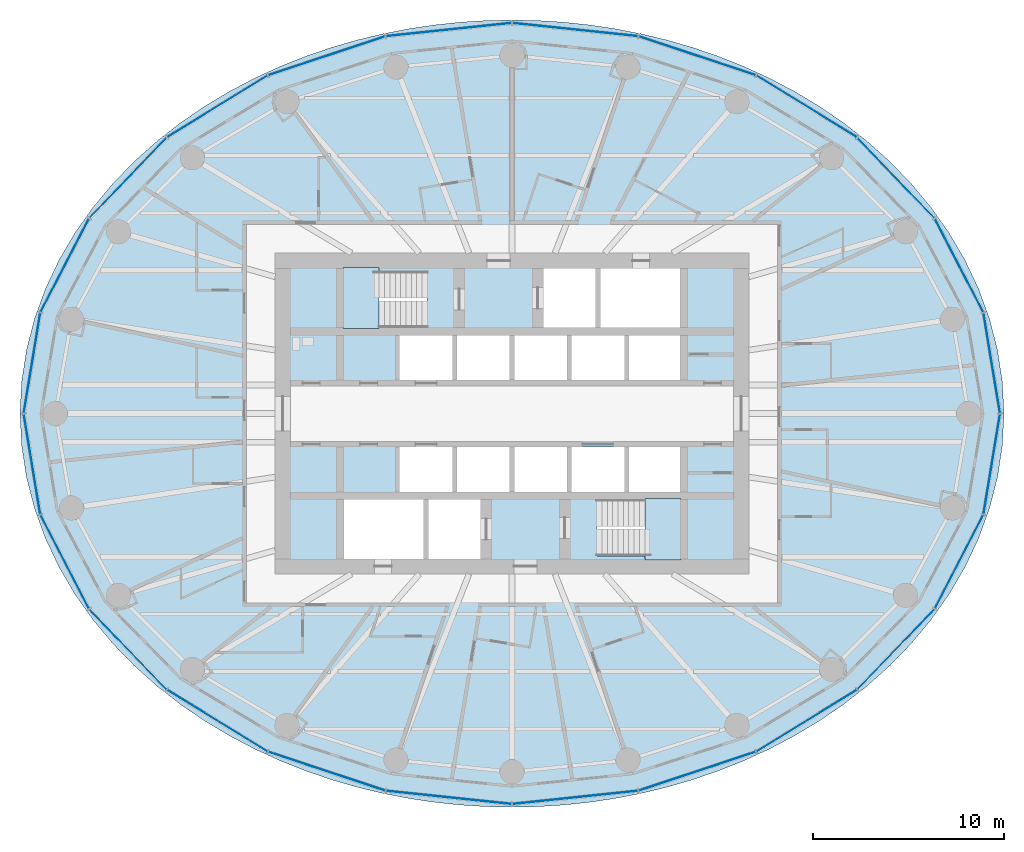
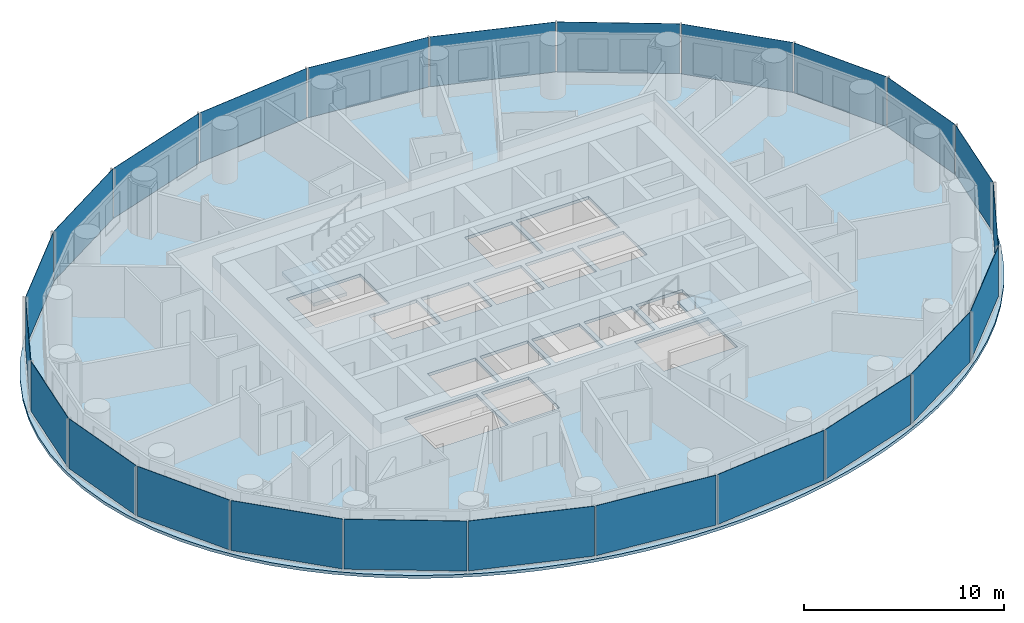
# One storey, part 5 of 14: 24 plates, 3 slabs, 6 elements without a shape of their own.
"""IFC4 building model written with IfcOpenShell, lengths in metres."""

from ifc_helpers import new_model, si_unit, direction, frame, origin, origin_2d, place, context, subcontext, project, spatial, polyline, rectangle, outline, extrude, material, layer, layer_set, type_object, element, aggregate, save


model = new_model("IFC4")

# Units and contexts
model_context = context("Model", 3, precision=1e-05, world=origin(), true_north=direction((0.0, 1.0)))
body_context = subcontext(model_context, "Body", "Model", "MODEL_VIEW")
ifc_project = project(units=[si_unit("LENGTHUNIT", "METRE"), si_unit("AREAUNIT", "SQUARE_METRE"), si_unit("VOLUMEUNIT", "CUBIC_METRE"), si_unit("PLANEANGLEUNIT", "RADIAN"), si_unit("MASSUNIT", "GRAM", prefix="KILO")], contexts=[model_context])

# Site, building, storey
site_placement = place(None, origin())
site = spatial("IfcSite", under=ifc_project, at=site_placement, CompositionType="ELEMENT")
building_placement = place(site_placement, origin())
building = spatial("IfcBuilding", under=site, at=building_placement, Name="Hankou Lantern Tower", CompositionType="ELEMENT")
storey_placement = place(building_placement, frame((0.0, 0.0, 115.5)))
storey = spatial("IfcBuildingStorey", under=building, at=storey_placement, Name="L29", CompositionType="ELEMENT", Elevation=115.5)

# Curtain wall, plates
ifc_material_1 = material(Name="Glass, dark grey tinted laminated", Category="glass")
curtain_wall_type = type_object("IfcCurtainWallType", Name="CWB OUTER SKIN MID-RISE", PredefinedType="USERDEFINED", material=ifc_material_1)
curtain_wall_1_placement = place(storey_placement, origin())
curtain_wall_1 = element("IfcCurtainWall", 1, at=curtain_wall_1_placement, inside=storey, type_object=curtain_wall_type, Name="CWB L29 OS1", ObjectType="OUTER SKIN MID-RISE", PredefinedType="USERDEFINED")
ifc_material_2 = material(Name="Glass, dark grey tinted laminated", Category="glass")
ifc_layer_1 = layer(ifc_material_2, 0.02392578125)
ifc_layer_set_1 = layer_set([ifc_layer_1], Name="Glass, dark grey tinted laminated")
plate_type = type_object("IfcPlateType", Name="PN1 OUTER SKIN GLASS PANEL", PredefinedType="CURTAIN_PANEL", material=ifc_layer_set_1)
plate_1_placement = place(storey_placement, frame((25.11474609375, 2.64501953125, 0.080078125), z_axis=(0.0, 0.0, 1.0), x_axis=(-0.162381515188, 0.986728049427, 0.0)))
plate_1 = element("IfcPlate", 2, at=plate_1_placement, type_object=plate_type, Name="CWB glass panel 1", PredefinedType="CURTAIN_PANEL", context=body_context, shape_type="SweptSolid", body=[
    extrude(rectangle(XDim=5.281494140625, YDim=0.02392578125, at=origin_2d()), origin(), (0.0, 0.0, 1.0), 3.0400390625),
])
plate_2_placement = place(storey_placement, frame((23.403076171875, 7.755126953125, 0.080078125), z_axis=(0.0, 0.0, 1.0), x_axis=(-0.459791091957, 0.888027112062, 0.0)))
plate_2 = element("IfcPlate", 3, at=plate_2_placement, type_object=plate_type, Name="CWB glass panel 2", PredefinedType="CURTAIN_PANEL", context=body_context, shape_type="SweptSolid", body=[
    extrude(rectangle(XDim=5.471435546875, YDim=0.02392578125, at=origin_2d()), origin(), (0.0, 0.0, 1.0), 3.0400390625),
])
plate_3_placement = place(storey_placement, frame((20.0966796875, 12.336669921875, 0.080078125), z_axis=(0.0, 0.0, 1.0), x_axis=(-0.692215809936, 0.721690565599, 0.0)))
plate_3 = element("IfcPlate", 4, at=plate_3_placement, type_object=plate_type, Name="CWB glass panel 3", PredefinedType="CURTAIN_PANEL", context=body_context, shape_type="SweptSolid", body=[
    extrude(rectangle(XDim=5.78564453125, YDim=0.02392578125, at=origin_2d()), origin(), (0.0, 0.0, 1.0), 3.0400390625),
])
plate_4_placement = place(storey_placement, frame((15.4208984375, 16.077392578125, 0.080078125), z_axis=(0.0, 0.0, 1.0), x_axis=(-0.852237151549, 0.523155653242, 0.0)))
plate_4 = element("IfcPlate", 5, at=plate_4_placement, type_object=plate_type, Name="CWB glass panel 4", PredefinedType="CURTAIN_PANEL", context=body_context, shape_type="SweptSolid", body=[
    extrude(rectangle(XDim=6.129150390625, YDim=0.02392578125, at=origin_2d()), origin(), (0.0, 0.0, 1.0), 3.0400390625),
])
plate_5_placement = place(storey_placement, frame((9.69384765625, 18.72265625, 0.080078125), z_axis=(0.0, 0.0, 1.0), x_axis=(-0.949240677293, 0.31455068999, 0.0)))
plate_5 = element("IfcPlate", 6, at=plate_5_placement, type_object=plate_type, Name="CWB glass panel 5", PredefinedType="CURTAIN_PANEL", context=body_context, shape_type="SweptSolid", body=[
    extrude(rectangle(XDim=6.41162109375, YDim=0.02392578125, at=origin_2d()), origin(), (0.0, 0.0, 1.0), 3.0400390625),
])
plate_6_placement = place(storey_placement, frame((3.306396484375, 20.091796875, 0.080078125), z_axis=(0.0, 0.0, 1.0), x_axis=(-0.994499359107, 0.104742659579, 0.0)))
plate_6 = element("IfcPlate", 7, at=plate_6_placement, type_object=plate_type, Name="CWB glass panel 6", PredefinedType="CURTAIN_PANEL", context=body_context, shape_type="SweptSolid", body=[
    extrude(rectangle(XDim=6.5693359375, YDim=0.02392578125, at=origin_2d()), origin(), (0.0, 0.0, 1.0), 3.0400390625),
])
aggregate(curtain_wall_1, [plate_1, plate_2, plate_3, plate_4, plate_5, plate_6])

curtain_wall_2_placement = place(storey_placement, origin())
curtain_wall_2 = element("IfcCurtainWall", 8, at=curtain_wall_2_placement, inside=storey, type_object=curtain_wall_type, Name="CWB L29 OS2", ObjectType="OUTER SKIN MID-RISE", PredefinedType="USERDEFINED")
plate_7_placement = place(storey_placement, frame((-3.306396484375, 20.091796875, 0.080078125), z_axis=(0.0, 0.0, 1.0), x_axis=(-0.994499359107, -0.104742659579, 0.0)))
plate_7 = element("IfcPlate", 9, at=plate_7_placement, type_object=plate_type, Name="CWB glass panel 1", PredefinedType="CURTAIN_PANEL", context=body_context, shape_type="SweptSolid", body=[
    extrude(rectangle(XDim=6.5693359375, YDim=0.02392578125, at=origin_2d()), origin(), (0.0, 0.0, 1.0), 3.0400390625),
])
plate_8_placement = place(storey_placement, frame((-9.69384765625, 18.72265625, 0.080078125), z_axis=(0.0, 0.0, 1.0), x_axis=(-0.949240677293, -0.31455068999, 0.0)))
plate_8 = element("IfcPlate", 10, at=plate_8_placement, type_object=plate_type, Name="CWB glass panel 2", PredefinedType="CURTAIN_PANEL", context=body_context, shape_type="SweptSolid", body=[
    extrude(rectangle(XDim=6.41162109375, YDim=0.02392578125, at=origin_2d()), origin(), (0.0, 0.0, 1.0), 3.0400390625),
])
plate_9_placement = place(storey_placement, frame((-15.4208984375, 16.077392578125, 0.080078125), z_axis=(0.0, 0.0, 1.0), x_axis=(-0.852237151549, -0.523155653242, 0.0)))
plate_9 = element("IfcPlate", 11, at=plate_9_placement, type_object=plate_type, Name="CWB glass panel 3", PredefinedType="CURTAIN_PANEL", context=body_context, shape_type="SweptSolid", body=[
    extrude(rectangle(XDim=6.129150390625, YDim=0.02392578125, at=origin_2d()), origin(), (0.0, 0.0, 1.0), 3.0400390625),
])
plate_10_placement = place(storey_placement, frame((-20.0966796875, 12.336669921875, 0.080078125), z_axis=(0.0, 0.0, 1.0), x_axis=(-0.692215809936, -0.721690565599, 0.0)))
plate_10 = element("IfcPlate", 12, at=plate_10_placement, type_object=plate_type, Name="CWB glass panel 4", PredefinedType="CURTAIN_PANEL", context=body_context, shape_type="SweptSolid", body=[
    extrude(rectangle(XDim=5.78564453125, YDim=0.02392578125, at=origin_2d()), origin(), (0.0, 0.0, 1.0), 3.0400390625),
])
plate_11_placement = place(storey_placement, frame((-23.403076171875, 7.755126953125, 0.080078125), z_axis=(0.0, 0.0, 1.0), x_axis=(-0.459791091957, -0.888027112062, 0.0)))
plate_11 = element("IfcPlate", 13, at=plate_11_placement, type_object=plate_type, Name="CWB glass panel 5", PredefinedType="CURTAIN_PANEL", context=body_context, shape_type="SweptSolid", body=[
    extrude(rectangle(XDim=5.471435546875, YDim=0.02392578125, at=origin_2d()), origin(), (0.0, 0.0, 1.0), 3.0400390625),
])
plate_12_placement = place(storey_placement, frame((-25.11474609375, 2.64501953125, 0.080078125), z_axis=(0.0, 0.0, 1.0), x_axis=(-0.162381515188, -0.986728049427, 0.0)))
plate_12 = element("IfcPlate", 14, at=plate_12_placement, type_object=plate_type, Name="CWB glass panel 6", PredefinedType="CURTAIN_PANEL", context=body_context, shape_type="SweptSolid", body=[
    extrude(rectangle(XDim=5.281494140625, YDim=0.02392578125, at=origin_2d()), origin(), (0.0, 0.0, 1.0), 3.0400390625),
])
aggregate(curtain_wall_2, [plate_7, plate_8, plate_9, plate_10, plate_11, plate_12])

curtain_wall_3_placement = place(storey_placement, origin())
curtain_wall_3 = element("IfcCurtainWall", 15, at=curtain_wall_3_placement, inside=storey, type_object=curtain_wall_type, Name="CWB L29 OS3", ObjectType="OUTER SKIN MID-RISE", PredefinedType="USERDEFINED")
plate_13_placement = place(storey_placement, frame((-25.11474609375, -2.64501953125, 0.080078125), z_axis=(0.0, 0.0, 1.0), x_axis=(0.162381515188, -0.986728049427, 0.0)))
plate_13 = element("IfcPlate", 16, at=plate_13_placement, type_object=plate_type, Name="CWB glass panel 1", PredefinedType="CURTAIN_PANEL", context=body_context, shape_type="SweptSolid", body=[
    extrude(rectangle(XDim=5.281494140625, YDim=0.02392578125, at=origin_2d()), origin(), (0.0, 0.0, 1.0), 3.0400390625),
])
plate_14_placement = place(storey_placement, frame((-23.403076171875, -7.755126953125, 0.080078125), z_axis=(0.0, 0.0, 1.0), x_axis=(0.459791091957, -0.888027112062, 0.0)))
plate_14 = element("IfcPlate", 17, at=plate_14_placement, type_object=plate_type, Name="CWB glass panel 2", PredefinedType="CURTAIN_PANEL", context=body_context, shape_type="SweptSolid", body=[
    extrude(rectangle(XDim=5.471435546875, YDim=0.02392578125, at=origin_2d()), origin(), (0.0, 0.0, 1.0), 3.0400390625),
])
plate_15_placement = place(storey_placement, frame((-20.0966796875, -12.336669921875, 0.080078125), z_axis=(0.0, 0.0, 1.0), x_axis=(0.692215809936, -0.721690565599, 0.0)))
plate_15 = element("IfcPlate", 18, at=plate_15_placement, type_object=plate_type, Name="CWB glass panel 3", PredefinedType="CURTAIN_PANEL", context=body_context, shape_type="SweptSolid", body=[
    extrude(rectangle(XDim=5.78564453125, YDim=0.02392578125, at=origin_2d()), origin(), (0.0, 0.0, 1.0), 3.0400390625),
])
plate_16_placement = place(storey_placement, frame((-15.4208984375, -16.077392578125, 0.080078125), z_axis=(0.0, 0.0, 1.0), x_axis=(0.852237151549, -0.523155653242, 0.0)))
plate_16 = element("IfcPlate", 19, at=plate_16_placement, type_object=plate_type, Name="CWB glass panel 4", PredefinedType="CURTAIN_PANEL", context=body_context, shape_type="SweptSolid", body=[
    extrude(rectangle(XDim=6.129150390625, YDim=0.02392578125, at=origin_2d()), origin(), (0.0, 0.0, 1.0), 3.0400390625),
])
plate_17_placement = place(storey_placement, frame((-9.69384765625, -18.72265625, 0.080078125), z_axis=(0.0, 0.0, 1.0), x_axis=(0.949240677293, -0.31455068999, 0.0)))
plate_17 = element("IfcPlate", 20, at=plate_17_placement, type_object=plate_type, Name="CWB glass panel 5", PredefinedType="CURTAIN_PANEL", context=body_context, shape_type="SweptSolid", body=[
    extrude(rectangle(XDim=6.41162109375, YDim=0.02392578125, at=origin_2d()), origin(), (0.0, 0.0, 1.0), 3.0400390625),
])
plate_18_placement = place(storey_placement, frame((-3.306396484375, -20.091796875, 0.080078125), z_axis=(0.0, 0.0, 1.0), x_axis=(0.994499359107, -0.104742659579, 0.0)))
plate_18 = element("IfcPlate", 21, at=plate_18_placement, type_object=plate_type, Name="CWB glass panel 6", PredefinedType="CURTAIN_PANEL", context=body_context, shape_type="SweptSolid", body=[
    extrude(rectangle(XDim=6.5693359375, YDim=0.02392578125, at=origin_2d()), origin(), (0.0, 0.0, 1.0), 3.0400390625),
])
aggregate(curtain_wall_3, [plate_13, plate_14, plate_15, plate_16, plate_17, plate_18])

curtain_wall_4_placement = place(storey_placement, origin())
curtain_wall_4 = element("IfcCurtainWall", 22, at=curtain_wall_4_placement, inside=storey, type_object=curtain_wall_type, Name="CWB L29 OS4", ObjectType="OUTER SKIN MID-RISE", PredefinedType="USERDEFINED")
plate_19_placement = place(storey_placement, frame((3.306396484375, -20.091796875, 0.080078125), z_axis=(0.0, 0.0, 1.0), x_axis=(0.994499359107, 0.104742659579, 0.0)))
plate_19 = element("IfcPlate", 23, at=plate_19_placement, type_object=plate_type, Name="CWB glass panel 1", PredefinedType="CURTAIN_PANEL", context=body_context, shape_type="SweptSolid", body=[
    extrude(rectangle(XDim=6.5693359375, YDim=0.02392578125, at=origin_2d()), origin(), (0.0, 0.0, 1.0), 3.0400390625),
])
plate_20_placement = place(storey_placement, frame((9.69384765625, -18.72265625, 0.080078125), z_axis=(0.0, 0.0, 1.0), x_axis=(0.949240677293, 0.31455068999, 0.0)))
plate_20 = element("IfcPlate", 24, at=plate_20_placement, type_object=plate_type, Name="CWB glass panel 2", PredefinedType="CURTAIN_PANEL", context=body_context, shape_type="SweptSolid", body=[
    extrude(rectangle(XDim=6.41162109375, YDim=0.02392578125, at=origin_2d()), origin(), (0.0, 0.0, 1.0), 3.0400390625),
])
plate_21_placement = place(storey_placement, frame((15.4208984375, -16.077392578125, 0.080078125), z_axis=(0.0, 0.0, 1.0), x_axis=(0.852237151549, 0.523155653242, 0.0)))
plate_21 = element("IfcPlate", 25, at=plate_21_placement, type_object=plate_type, Name="CWB glass panel 3", PredefinedType="CURTAIN_PANEL", context=body_context, shape_type="SweptSolid", body=[
    extrude(rectangle(XDim=6.129150390625, YDim=0.02392578125, at=origin_2d()), origin(), (0.0, 0.0, 1.0), 3.0400390625),
])
plate_22_placement = place(storey_placement, frame((20.0966796875, -12.336669921875, 0.080078125), z_axis=(0.0, 0.0, 1.0), x_axis=(0.692215809936, 0.721690565599, 0.0)))
plate_22 = element("IfcPlate", 26, at=plate_22_placement, type_object=plate_type, Name="CWB glass panel 4", PredefinedType="CURTAIN_PANEL", context=body_context, shape_type="SweptSolid", body=[
    extrude(rectangle(XDim=5.78564453125, YDim=0.02392578125, at=origin_2d()), origin(), (0.0, 0.0, 1.0), 3.0400390625),
])
plate_23_placement = place(storey_placement, frame((23.403076171875, -7.755126953125, 0.080078125), z_axis=(0.0, 0.0, 1.0), x_axis=(0.459791091957, 0.888027112062, 0.0)))
plate_23 = element("IfcPlate", 27, at=plate_23_placement, type_object=plate_type, Name="CWB glass panel 5", PredefinedType="CURTAIN_PANEL", context=body_context, shape_type="SweptSolid", body=[
    extrude(rectangle(XDim=5.471435546875, YDim=0.02392578125, at=origin_2d()), origin(), (0.0, 0.0, 1.0), 3.0400390625),
])
plate_24_placement = place(storey_placement, frame((25.11474609375, -2.64501953125, 0.080078125), z_axis=(0.0, 0.0, 1.0), x_axis=(0.162381515188, 0.986728049427, 0.0)))
plate_24 = element("IfcPlate", 28, at=plate_24_placement, type_object=plate_type, Name="CWB glass panel 6", PredefinedType="CURTAIN_PANEL", context=body_context, shape_type="SweptSolid", body=[
    extrude(rectangle(XDim=5.281494140625, YDim=0.02392578125, at=origin_2d()), origin(), (0.0, 0.0, 1.0), 3.0400390625),
])
aggregate(curtain_wall_4, [plate_19, plate_20, plate_21, plate_22, plate_23, plate_24])

# Slab
ifc_material_3 = material(Name="Concrete C50", Category="concrete")
ifc_layer_2 = layer(ifc_material_3, 0.179931640625)
ifc_layer_set_2 = layer_set([ifc_layer_2], Name="Concrete C50")
slab_type_1 = type_object("IfcSlabType", Name="S1 CONCRETE FLOOR SLAB 180", PredefinedType="FLOOR", material=ifc_layer_set_2)
slab_1_placement = place(storey_placement, frame((0.0, 0.0, -0.179931640625)))
element("IfcSlab", 29, at=slab_1_placement, inside=storey, type_object=slab_type_1, Name="Floor slab L29", PredefinedType="FLOOR", context=body_context, shape_type="SweptSolid", body=[
    extrude(outline(polyline([(25.75, 0.0), (25.6640625, 1.68212890625), (25.408203125, 3.344970703125), (24.9892578125, 4.970703125), (24.416748046875, 6.54248046875), (23.704345703125, 8.046630859375), (22.86669921875, 9.4716796875), (21.919921875, 10.809814453125), (20.88037109375, 12.05517578125), (19.763427734375, 13.205322265625), (18.58349609375, 14.259765625), (17.35400390625, 15.218994140625), (16.0859375, 16.0859375), (14.7890625, 16.863525390625), (13.47119140625, 17.55615234375), (12.138916015625, 18.167236328125), (10.79736328125, 18.701416015625), (9.449951171875, 19.16259765625), (8.099609375, 19.554443359375), (6.748291015625, 19.8798828125), (5.397216796875, 20.142333984375), (4.046630859375, 20.343994140625), (2.697021484375, 20.486572265625), (1.348388671875, 20.57177734375), (0.0, 20.60009765625), (-1.348388671875, 20.57177734375), (-2.697021484375, 20.486572265625), (-4.046630859375, 20.343994140625), (-5.397216796875, 20.142333984375), (-6.748291015625, 19.8798828125), (-8.099609375, 19.554443359375), (-9.449951171875, 19.16259765625), (-10.79736328125, 18.701416015625), (-12.138916015625, 18.167236328125), (-13.47119140625, 17.55615234375), (-14.7890625, 16.863525390625), (-16.0859375, 16.0859375), (-17.35400390625, 15.218994140625), (-18.58349609375, 14.259765625), (-19.763427734375, 13.205322265625), (-20.88037109375, 12.05517578125), (-21.919921875, 10.809814453125), (-22.86669921875, 9.4716796875), (-23.704345703125, 8.046630859375), (-24.416748046875, 6.54248046875), (-24.9892578125, 4.970703125), (-25.408203125, 3.344970703125), (-25.6640625, 1.68212890625), (-25.75, 0.0), (-25.6640625, -1.68212890625), (-25.408203125, -3.344970703125), (-24.9892578125, -4.970703125), (-24.416748046875, -6.54248046875), (-23.704345703125, -8.046630859375), (-22.86669921875, -9.4716796875), (-21.919921875, -10.809814453125), (-20.88037109375, -12.05517578125), (-19.763427734375, -13.205322265625), (-18.58349609375, -14.259765625), (-17.35400390625, -15.218994140625), (-16.0859375, -16.0859375), (-14.7890625, -16.863525390625), (-13.47119140625, -17.55615234375), (-12.138916015625, -18.167236328125), (-10.79736328125, -18.701416015625), (-9.449951171875, -19.16259765625), (-8.099609375, -19.554443359375), (-6.748291015625, -19.8798828125), (-5.397216796875, -20.142333984375), (-4.046630859375, -20.343994140625), (-2.697021484375, -20.486572265625), (-1.348388671875, -20.57177734375), (0.0, -20.60009765625), (1.348388671875, -20.57177734375), (2.697021484375, -20.486572265625), (4.046630859375, -20.343994140625), (5.397216796875, -20.142333984375), (6.748291015625, -19.8798828125), (8.099609375, -19.554443359375), (9.449951171875, -19.16259765625), (10.79736328125, -18.701416015625), (12.138916015625, -18.167236328125), (13.47119140625, -17.55615234375), (14.7890625, -16.863525390625), (16.0859375, -16.0859375), (17.35400390625, -15.218994140625), (18.58349609375, -14.259765625), (19.763427734375, -13.205322265625), (20.88037109375, -12.05517578125), (21.919921875, -10.809814453125), (22.86669921875, -9.4716796875), (23.704345703125, -8.046630859375), (24.416748046875, -6.54248046875), (24.9892578125, -4.970703125), (25.408203125, -3.344970703125), (25.6640625, -1.68212890625), (25.75, 0.0)]), holes=[polyline([(-5.875, 4.10009765625), (-3.125, 4.10009765625), (-3.125, 1.75), (-5.875, 1.75), (-5.875, 4.10009765625)]), polyline([(-2.875, 4.10009765625), (-0.125, 4.10009765625), (-0.125, 1.75), (-2.875, 1.75), (-2.875, 4.10009765625)]), polyline([(0.125, 4.10009765625), (2.875, 4.10009765625), (2.875, 1.75), (0.125, 1.75), (0.125, 4.10009765625)]), polyline([(3.125, 4.10009765625), (5.875, 4.10009765625), (5.875, 1.75), (3.125, 1.75), (3.125, 4.10009765625)]), polyline([(6.125, 4.10009765625), (8.800048828125, 4.10009765625), (8.800048828125, 1.75), (6.125, 1.75), (6.125, 4.10009765625)]), polyline([(-5.875, -1.75), (-3.125, -1.75), (-3.125, -4.10009765625), (-5.875, -4.10009765625), (-5.875, -1.75)]), polyline([(-2.875, -1.75), (-0.125, -1.75), (-0.125, -4.10009765625), (-2.875, -4.10009765625), (-2.875, -1.75)]), polyline([(0.125, -1.75), (2.875, -1.75), (2.875, -4.10009765625), (0.125, -4.10009765625), (0.125, -1.75)]), polyline([(3.125, -1.75), (5.875, -1.75), (5.875, -4.10009765625), (3.125, -4.10009765625), (3.125, -1.75)]), polyline([(6.125, -1.75), (8.800048828125, -1.75), (8.800048828125, -4.10009765625), (6.125, -4.10009765625), (6.125, -1.75)]), polyline([(1.64990234375, 7.60009765625), (4.375, 7.60009765625), (4.375, 4.5), (1.64990234375, 4.5), (1.64990234375, 7.60009765625)]), polyline([(-4.375, -4.5), (-1.64990234375, -4.5), (-1.64990234375, -7.60009765625), (-4.375, -7.60009765625), (-4.375, -4.5)]), polyline([(-8.699951171875, 7.449951171875), (-4.449951171875, 7.449951171875), (-4.449951171875, 4.5), (-8.699951171875, 4.5), (-8.699951171875, 7.449951171875)]), polyline([(4.449951171875, -4.5), (8.699951171875, -4.5), (8.699951171875, -7.449951171875), (4.449951171875, -7.449951171875), (4.449951171875, -4.5)]), polyline([(4.625, 7.60009765625), (8.800048828125, 7.60009765625), (8.800048828125, 4.5), (4.625, 4.5), (4.625, 7.60009765625)]), polyline([(-8.800048828125, -4.5), (-4.625, -4.5), (-4.625, -7.60009765625), (-8.800048828125, -7.60009765625), (-8.800048828125, -4.5)])]), origin(), (0.0, 0.0, 1.0), 0.179931640625),
])

# Stair, slab
ifc_material_4 = material(Name="Concrete C40", Category="concrete")
stair_type = type_object("IfcStairType", Name="ST33 CORE STAIR 3300 RISE", PredefinedType="HALF_TURN_STAIR", material=ifc_material_4)
stair_1_placement = place(storey_placement, origin())
stair_1 = element("IfcStair", 30, at=stair_1_placement, inside=storey, type_object=stair_type, Name="Stair STA L29", PredefinedType="HALF_TURN_STAIR")
ifc_material_5 = material(Name="Concrete C40", Category="concrete")
ifc_layer_3 = layer(ifc_material_5, 0.199951171875)
ifc_layer_set_3 = layer_set([ifc_layer_3], Name="Concrete C40")
slab_type_2 = type_object("IfcSlabType", Name="SL1 STAIR LANDING 200", PredefinedType="LANDING", material=ifc_layer_set_3)
slab_2_placement = place(storey_placement, frame((0.0, 0.0, 1.371337890625)))
slab_2 = element("IfcSlab", 31, at=slab_2_placement, type_object=slab_type_2, Name="STA landing 1", PredefinedType="LANDING", context=body_context, shape_type="SweptSolid", body=[
    extrude(outline(polyline([(-8.85009765625, 4.449951171875), (-6.949951171875, 4.449951171875), (-6.949951171875, 7.64990234375), (-8.85009765625, 7.64990234375), (-8.85009765625, 4.449951171875)])), origin(), (0.0, 0.0, 1.0), 0.2001953125),
])
aggregate(stair_1, [slab_2])

stair_2_placement = place(storey_placement, origin())
stair_2 = element("IfcStair", 32, at=stair_2_placement, inside=storey, type_object=stair_type, Name="Stair STB L29", PredefinedType="HALF_TURN_STAIR")
slab_3_placement = place(storey_placement, frame((0.0, 0.0, 1.371337890625)))
slab_3 = element("IfcSlab", 33, at=slab_3_placement, type_object=slab_type_2, Name="STB landing 1", PredefinedType="LANDING", context=body_context, shape_type="SweptSolid", body=[
    extrude(outline(polyline([(8.85009765625, -4.449951171875), (6.949951171875, -4.449951171875), (6.949951171875, -7.64990234375), (8.85009765625, -7.64990234375), (8.85009765625, -4.449951171875)])), origin(), (0.0, 0.0, 1.0), 0.2001953125),
])
aggregate(stair_2, [slab_3])

save(model, "model.ifc")
